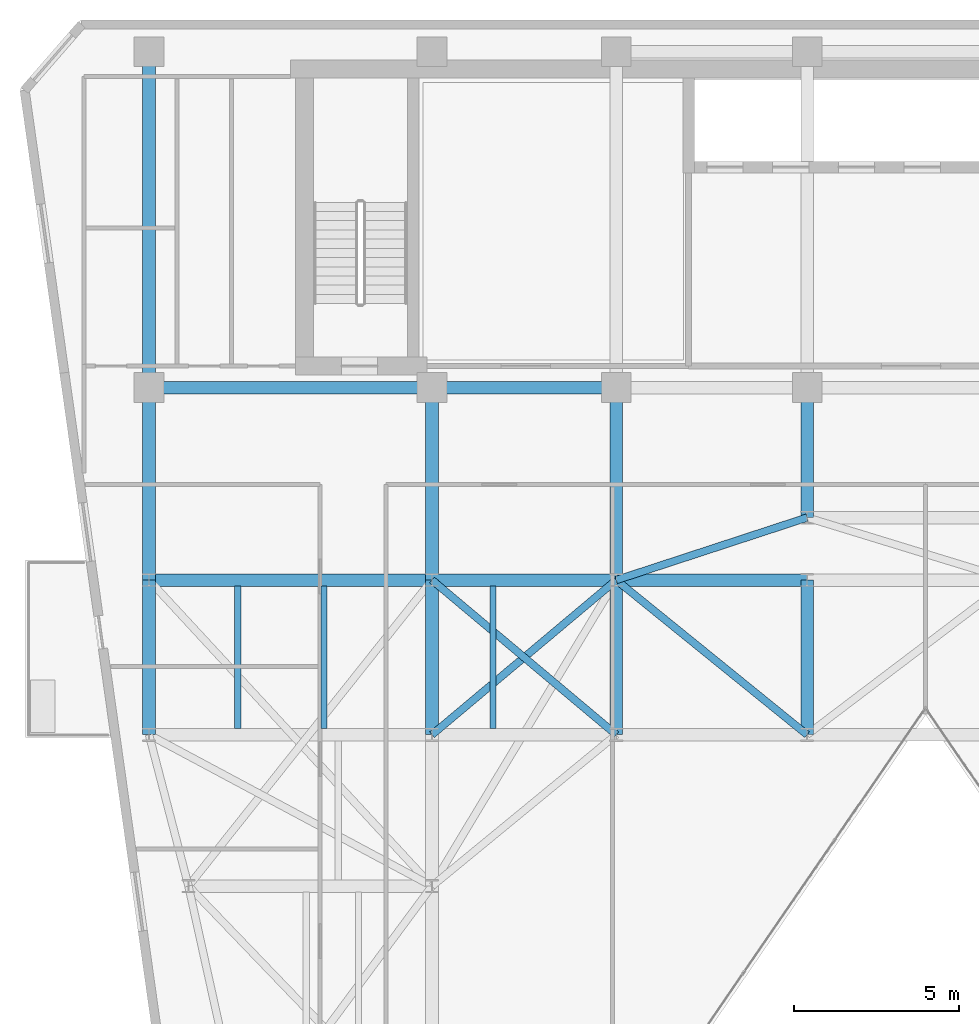
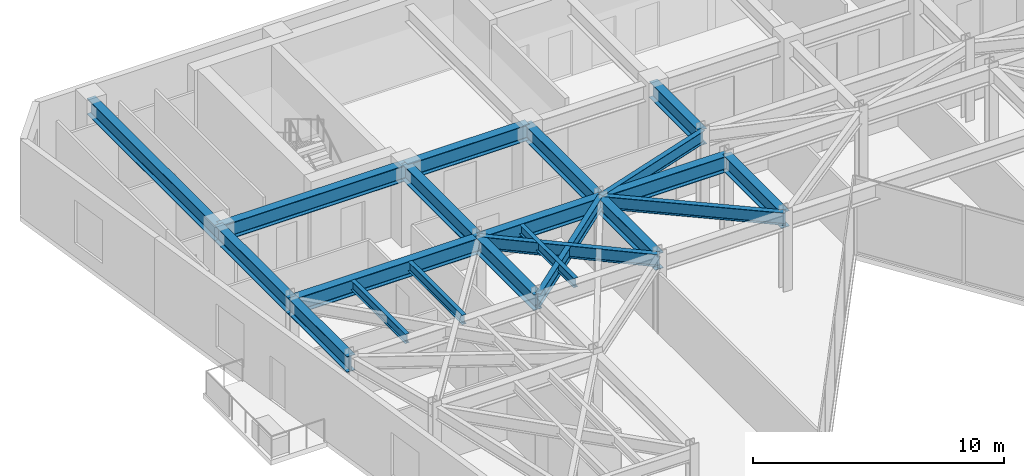
# One storey, part 7 of 21: 21 beams.
"""IFC4 building model written with IfcOpenShell, lengths in metres."""

from ifc_helpers import new_model, si_unit, direction, frame, origin, origin_2d, place, context, subcontext, project, spatial, i_section, extrude, material, material_profile, profile_set, type_object, element, save


model = new_model("IFC4")

# Units and contexts
model_context = context("Model", 3, precision=1e-05, world=origin(), true_north=direction((0.0, 1.0)))
body_context = subcontext(model_context, "Body", "Model", "MODEL_VIEW")
ifc_project = project(units=[si_unit("LENGTHUNIT", "METRE"), si_unit("AREAUNIT", "SQUARE_METRE"), si_unit("VOLUMEUNIT", "CUBIC_METRE"), si_unit("PLANEANGLEUNIT", "RADIAN"), si_unit("MASSUNIT", "GRAM", prefix="KILO")], contexts=[model_context])

# Site, building, storey
site_placement = place(None, origin())
site = spatial("IfcSite", under=ifc_project, at=site_placement, CompositionType="ELEMENT")
building_placement = place(site_placement, origin())
building = spatial("IfcBuilding", under=site, at=building_placement, Name="Kravanh Interchange Tower", CompositionType="ELEMENT")
storey_placement = place(building_placement, frame((0.0, 0.0, 216.5)))
storey = spatial("IfcBuildingStorey", under=building, at=storey_placement, Name="L52", CompositionType="ELEMENT", Elevation=216.5)

# Beams
ifc_material_1 = material(Name="Structural Steel S355", Category="steel")
ifc_material_profile_1 = material_profile(ifc_material_1, i_section(OverallWidth=0.381103515625, OverallDepth=0.77294921875, WebThickness=0.0166015625, FlangeThickness=0.027099609375, FilletRadius=0.02490234375, at=origin_2d()), Name="W30X173")
ifc_profile_set_1 = profile_set([ifc_material_profile_1], Name="Structural Steel S355")
beam_type_1 = type_object("IfcBeamType", Name="Floor Beam W30X173 Structural Steel S355", PredefinedType="BEAM", material=ifc_profile_set_1)
beam_1_placement = place(storey_placement, frame((38.60009765625, 37.35009765625, 3.3583984375), z_axis=(0.0, -1.0, 0.0), x_axis=(1.0, 0.0, 0.0)))
element("IfcBeam", 1, at=beam_1_placement, inside=storey, type_object=beam_type_1, Name="L52 Primary Floor Girder 16", PredefinedType="BEAM", context=body_context, shape_type="SweptSolid", body=[
    extrude(i_section(OverallWidth=0.381103515625, OverallDepth=0.77294921875, WebThickness=0.0166015625, FlangeThickness=0.027099609375, FilletRadius=0.02490234375, at=origin_2d()), origin(), (0.0, 0.0, 1.0), 3.9501953125),
])
beam_2_placement = place(storey_placement, frame((32.800048828125, 37.35009765625, 3.3583984375), z_axis=(-1.0, 0.0, 0.0), x_axis=(0.0, -1.0, 0.0)))
element("IfcBeam", 2, at=beam_2_placement, inside=storey, type_object=beam_type_1, Name="L52 Primary Floor Girder 20", PredefinedType="BEAM", context=body_context, shape_type="SweptSolid", body=[
    extrude(i_section(OverallWidth=0.381103515625, OverallDepth=0.77294921875, WebThickness=0.0166015625, FlangeThickness=0.027099609375, FilletRadius=0.02490234375, at=origin_2d()), origin(), (0.0, 0.0, 1.0), 5.60009765625),
])
for number, where, z_axis, x_axis, name in (
    (3, (32.800048828125, 37.35009765625, 3.3583984375), (0.0, -1.0, 0.0), (1.0, 0.0, 0.0), "L52 Primary Floor Girder 21"),
    (4, (27.199951171875, 37.35009765625, 3.3583984375), (0.0, -1.0, 0.0), (1.0, 0.0, 0.0), "L52 Primary Floor Girder 24"),
):
    element("IfcBeam", number, at=place(storey_placement, frame(where, z_axis=z_axis, x_axis=x_axis)), inside=storey, type_object=beam_type_1, Name=name, PredefinedType="BEAM", context=body_context, shape_type="SweptSolid", body=[
        extrude(i_section(OverallWidth=0.381103515625, OverallDepth=0.77294921875, WebThickness=0.0166015625, FlangeThickness=0.027099609375, FilletRadius=0.02490234375, at=origin_2d()), origin(), (0.0, 0.0, 1.0), 5.85009765625),
    ])
beam_3_placement = place(storey_placement, frame((27.199951171875, 37.35009765625, 3.3583984375), z_axis=(-1.0, 0.0, 0.0), x_axis=(0.0, -1.0, 0.0)))
element("IfcBeam", 5, at=beam_3_placement, inside=storey, type_object=beam_type_1, Name="L52 Primary Floor Girder 25", PredefinedType="BEAM", context=body_context, shape_type="SweptSolid", body=[
    extrude(i_section(OverallWidth=0.381103515625, OverallDepth=0.77294921875, WebThickness=0.0166015625, FlangeThickness=0.027099609375, FilletRadius=0.02490234375, at=origin_2d()), origin(), (0.0, 0.0, 1.0), 8.599853515625),
])
beam_4_placement = place(storey_placement, frame((18.60009765625, 37.35009765625, 3.3583984375), z_axis=(0.0, -1.0, 0.0), x_axis=(1.0, 0.0, 0.0)))
element("IfcBeam", 6, at=beam_4_placement, inside=storey, type_object=beam_type_1, Name="L52 Primary Floor Girder 28", PredefinedType="BEAM", context=body_context, shape_type="SweptSolid", body=[
    extrude(i_section(OverallWidth=0.381103515625, OverallDepth=0.77294921875, WebThickness=0.0166015625, FlangeThickness=0.027099609375, FilletRadius=0.02490234375, at=origin_2d()), origin(), (0.0, 0.0, 1.0), 5.85009765625),
])
beam_5_placement = place(storey_placement, frame((18.60009765625, 37.35009765625, 3.3583984375), z_axis=(0.0, 1.0, 0.0), x_axis=(-1.0, 0.0, 0.0)))
element("IfcBeam", 7, at=beam_5_placement, inside=storey, type_object=beam_type_1, Name="L52 Primary Floor Girder 29", PredefinedType="BEAM", context=body_context, shape_type="SweptSolid", body=[
    extrude(i_section(OverallWidth=0.381103515625, OverallDepth=0.77294921875, WebThickness=0.0166015625, FlangeThickness=0.027099609375, FilletRadius=0.02490234375, at=origin_2d()), origin(), (0.0, 0.0, 1.0), 10.199951171875),
])
for number, where, z_axis, x_axis, name in (
    (8, (18.60009765625, 26.800048828125, 3.3583984375), (0.0, 1.0, 0.0), (-1.0, 0.0, 0.0), "L52 Primary Floor Girder 33"),
    (9, (27.199951171875, 26.800048828125, 3.3583984375), (0.0, 1.0, 0.0), (-1.0, 0.0, 0.0), "L52 Primary Floor Girder 38"),
    (10, (32.800048828125, 26.800048828125, 3.3583984375), (0.0, 1.0, 0.0), (-1.0, 0.0, 0.0), "L52 Primary Floor Girder 41"),
    (11, (38.60009765625, 26.800048828125, 3.3583984375), (0.0, 1.0, 0.0), (-1.0, 0.0, 0.0), "L52 Primary Floor Girder 45"),
):
    element("IfcBeam", number, at=place(storey_placement, frame(where, z_axis=z_axis, x_axis=x_axis)), inside=storey, type_object=beam_type_1, Name=name, PredefinedType="BEAM", context=body_context, shape_type="SweptSolid", body=[
        extrude(i_section(OverallWidth=0.381103515625, OverallDepth=0.77294921875, WebThickness=0.0166015625, FlangeThickness=0.027099609375, FilletRadius=0.02490234375, at=origin_2d()), origin(), (0.0, 0.0, 1.0), 4.699951171875),
    ])
beam_6_placement = place(storey_placement, frame((18.60009765625, 31.5, 3.3583984375), z_axis=(1.0, 0.0, 0.0), x_axis=(0.0, 1.0, 0.0)))
element("IfcBeam", 12, at=beam_6_placement, inside=storey, type_object=beam_type_1, Name="L52 Primary Floor Girder 61", PredefinedType="BEAM", context=body_context, shape_type="SweptSolid", body=[
    extrude(i_section(OverallWidth=0.381103515625, OverallDepth=0.77294921875, WebThickness=0.0166015625, FlangeThickness=0.027099609375, FilletRadius=0.02490234375, at=origin_2d()), origin(), (0.0, 0.0, 1.0), 8.599853515625),
])
beam_7_placement = place(storey_placement, frame((27.199951171875, 31.5, 3.3583984375), z_axis=(1.0, 0.0, 0.0), x_axis=(0.0, 1.0, 0.0)))
element("IfcBeam", 13, at=beam_7_placement, inside=storey, type_object=beam_type_1, Name="L52 Primary Floor Girder 64", PredefinedType="BEAM", context=body_context, shape_type="SweptSolid", body=[
    extrude(i_section(OverallWidth=0.381103515625, OverallDepth=0.77294921875, WebThickness=0.0166015625, FlangeThickness=0.027099609375, FilletRadius=0.02490234375, at=origin_2d()), origin(), (0.0, 0.0, 1.0), 5.60009765625),
])
beam_8_placement = place(storey_placement, frame((32.800048828125, 31.5, 3.3583984375), z_axis=(1.0, 0.0, 0.0), x_axis=(0.0, 1.0, 0.0)))
element("IfcBeam", 14, at=beam_8_placement, inside=storey, type_object=beam_type_1, Name="L52 Primary Floor Girder 67", PredefinedType="BEAM", context=body_context, shape_type="SweptSolid", body=[
    extrude(i_section(OverallWidth=0.381103515625, OverallDepth=0.77294921875, WebThickness=0.0166015625, FlangeThickness=0.027099609375, FilletRadius=0.02490234375, at=origin_2d()), origin(), (0.0, 0.0, 1.0), 5.800048828125),
])
ifc_material_2 = material(Name="Structural Steel S355", Category="steel")
ifc_material_profile_2 = material_profile(ifc_material_2, i_section(OverallWidth=0.18994140625, OverallDepth=0.45703125, WebThickness=0.009033203125, FlangeThickness=0.014404296875, FilletRadius=0.01806640625, at=origin_2d()), Name="W18X50")
ifc_profile_set_2 = profile_set([ifc_material_profile_2], Name="Structural Steel S355")
beam_type_2 = type_object("IfcBeamType", Name="Floor Joist W18X50 Structural Steel S355", PredefinedType="JOIST", material=ifc_profile_set_2)
for number, where, z_axis, x_axis, name in (
    (15, (21.2939453125, 26.985595703125, 3.5166015625), (0.0, 1.0, 0.0), (-1.0, 0.0, 0.0), "L52 Secondary Floor Joist 9"),
    (16, (23.922119140625, 26.985595703125, 3.5166015625), (0.0, 1.0, 0.0), (-1.0, 0.0, 0.0), "L52 Secondary Floor Joist 10"),
    (17, (29.053955078125, 26.985595703125, 3.5166015625), (0.0, 1.0, 0.0), (-1.0, 0.0, 0.0), "L52 Secondary Floor Joist 11"),
):
    element("IfcBeam", number, at=place(storey_placement, frame(where, z_axis=z_axis, x_axis=x_axis)), inside=storey, type_object=beam_type_2, Name=name, PredefinedType="JOIST", context=body_context, shape_type="SweptSolid", body=[
        extrude(i_section(OverallWidth=0.18994140625, OverallDepth=0.45703125, WebThickness=0.009033203125, FlangeThickness=0.014404296875, FilletRadius=0.01806640625, at=origin_2d()), origin(), (0.0, 0.0, 1.0), 4.328857421875),
    ])
ifc_material_3 = material(Name="Structural Steel S355", Category="steel")
ifc_material_profile_3 = material_profile(ifc_material_3, i_section(OverallWidth=0.22802734375, OverallDepth=0.60791015625, WebThickness=0.01123046875, FlangeThickness=0.017333984375, FilletRadius=0.02197265625, at=origin_2d()), Name="W24X76")
ifc_profile_set_3 = profile_set([ifc_material_profile_3], Name="Structural Steel S355")
beam_type_3 = type_object("IfcBeamType", Name="Floor Spandrel W24X76 Structural Steel S355", PredefinedType="SPANDREL", material=ifc_profile_set_3)
for number, where, z_axis, x_axis, name in (
    (18, (27.199951171875, 26.800048828125, 3.44091796875), (0.765983062929, 0.642860752657, 0.0), (-0.642860752657, 0.765983062929, 0.0), "L52 Perimeter Spandrel 40"),
    (19, (32.800048828125, 26.800048828125, 3.44091796875), (-0.765983062929, 0.642860752657, 0.0), (-0.642860752657, -0.765983062929, 0.0), "L52 Perimeter Spandrel 44"),
):
    element("IfcBeam", number, at=place(storey_placement, frame(where, z_axis=z_axis, x_axis=x_axis)), inside=storey, type_object=beam_type_3, Name=name, PredefinedType="SPANDREL", context=body_context, shape_type="SweptSolid", body=[
        extrude(i_section(OverallWidth=0.22802734375, OverallDepth=0.60791015625, WebThickness=0.01123046875, FlangeThickness=0.017333984375, FilletRadius=0.02197265625, at=origin_2d()), origin(), (0.0, 0.0, 1.0), 7.31103515625),
    ])
beam_9_placement = place(storey_placement, frame((38.60009765625, 26.800048828125, 3.44091796875), z_axis=(-0.776938619557, 0.629576350764, 0.0), x_axis=(-0.629576350764, -0.776938619557, 0.0)))
element("IfcBeam", 20, at=beam_9_placement, inside=storey, type_object=beam_type_3, Name="L52 Perimeter Spandrel 46", PredefinedType="SPANDREL", context=body_context, shape_type="SweptSolid", body=[
    extrude(i_section(OverallWidth=0.22802734375, OverallDepth=0.60791015625, WebThickness=0.01123046875, FlangeThickness=0.017333984375, FilletRadius=0.02197265625, at=origin_2d()), origin(), (0.0, 0.0, 1.0), 7.46533203125),
])
beam_10_placement = place(storey_placement, frame((32.800048828125, 31.5, 3.44091796875), z_axis=(0.950314536578, 0.31129131303, 0.0), x_axis=(-0.31129131303, 0.950314536578, 0.0)))
element("IfcBeam", 21, at=beam_10_placement, inside=storey, type_object=beam_type_3, Name="L52 Perimeter Spandrel 68", PredefinedType="SPANDREL", context=body_context, shape_type="SweptSolid", body=[
    extrude(i_section(OverallWidth=0.22802734375, OverallDepth=0.60791015625, WebThickness=0.01123046875, FlangeThickness=0.017333984375, FilletRadius=0.02197265625, at=origin_2d()), origin(), (0.0, 0.0, 1.0), 6.103271484375),
])

save(model, "model.ifc")
